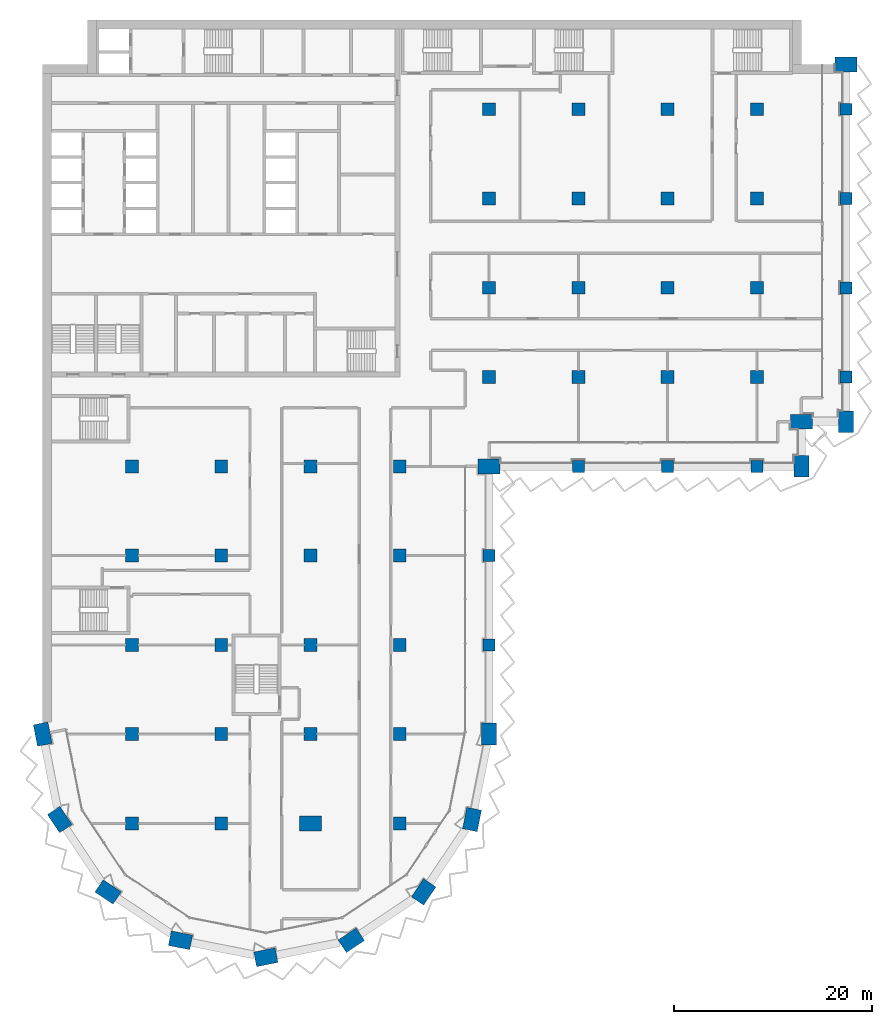
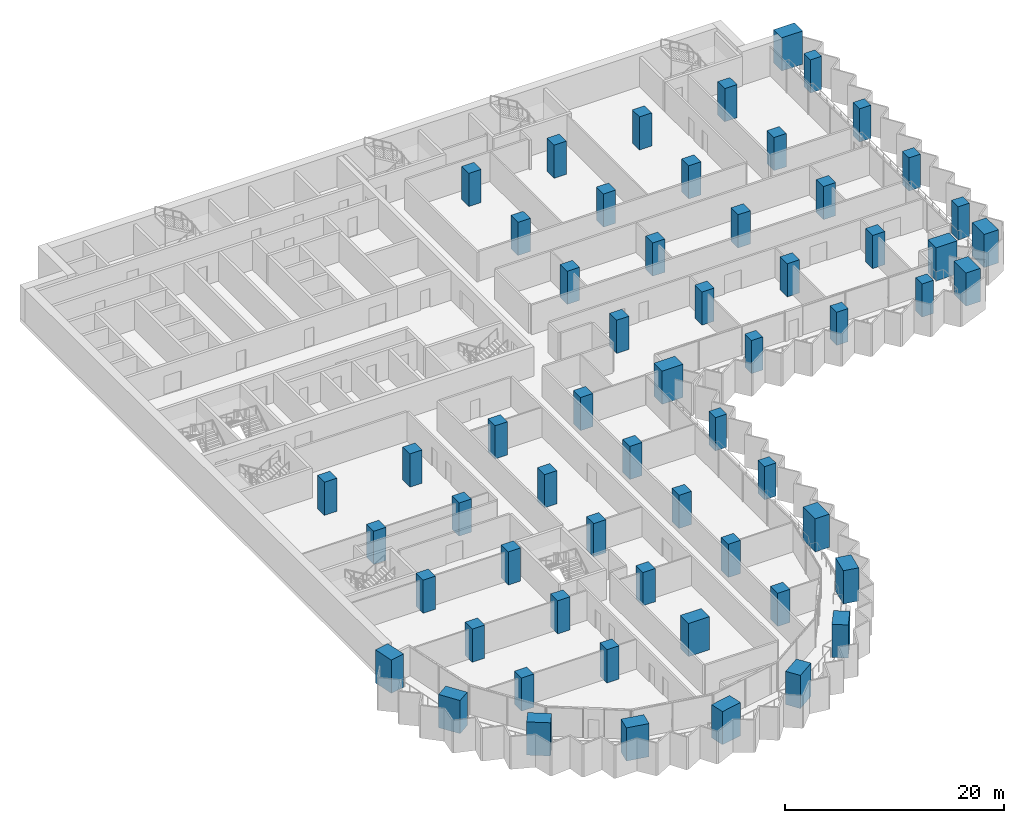
# One storey, part 1 of 23: 59 columns.
"""IFC4 building model written with IfcOpenShell, lengths in metres."""

from ifc_helpers import new_model, si_unit, direction, frame, origin, origin_2d, place, context, subcontext, project, spatial, rectangle, extrude, material, material_profile, profile_set, type_object, element, save


model = new_model("IFC4")

# Units and contexts
model_context = context("Model", 3, precision=1e-05, world=origin(), true_north=direction((0.0, 1.0)))
body_context = subcontext(model_context, "Body", "Model", "MODEL_VIEW")
ifc_project = project(units=[si_unit("LENGTHUNIT", "METRE"), si_unit("AREAUNIT", "SQUARE_METRE"), si_unit("VOLUMEUNIT", "CUBIC_METRE"), si_unit("PLANEANGLEUNIT", "RADIAN"), si_unit("MASSUNIT", "GRAM", prefix="KILO")], contexts=[model_context])

# Site, building, storey
site_placement = place(None, origin())
site = spatial("IfcSite", under=ifc_project, at=site_placement, CompositionType="ELEMENT")
building_placement = place(site_placement, origin())
building = spatial("IfcBuilding", under=site, at=building_placement, Name="Hunhe Ridgeline Campus", CompositionType="ELEMENT")
storey_placement = place(building_placement, frame((0.0, 0.0, 95.89990234375)))
storey = spatial("IfcBuildingStorey", under=building, at=storey_placement, Name="L23", CompositionType="ELEMENT", Elevation=95.89990234375)

# Columns
ifc_material = material(Name="Concrete C70", Category="concrete")
ifc_material_profile_1 = material_profile(ifc_material, rectangle(XDim=2.199951171875, YDim=1.5, at=origin_2d()))
ifc_profile_set_1 = profile_set([ifc_material_profile_1], Name="Concrete C70")
column_type_1 = type_object("IfcColumnType", Name="Megacolumn 2200x1500 Concrete C70", PredefinedType="COLUMN", material=ifc_profile_set_1)
for number, where, z_axis, x_axis, name in (
    (1, (22.5, 4.5, 0.0), (0.0, 0.0, 1.0), (0.980785280403, 0.195090322016, 0.0), "Column C6 R1 L23"),
    (2, (13.8896484375, 6.212646484375, 0.0), (0.0, 0.0, 1.0), (-0.980785280403, 0.195090322016, 0.0), "Column C6 R2 L23"),
    (3, (31.1103515625, 6.212646484375, 0.0), (0.0, 0.0, 1.0), (0.831469612303, 0.55557023302, 0.0), "Column C6 R3 L23"),
    (4, (6.590087890625, 11.090087890625, 0.0), (0.0, 0.0, 1.0), (-0.831469612303, 0.55557023302, 0.0), "Column C6 R4 L23"),
    (5, (38.409912109375, 11.090087890625, 0.0), (0.0, 0.0, 1.0), (0.55557023302, 0.831469612303, 0.0), "Column C6 R5 L23"),
    (6, (1.712646484375, 18.3896484375, 0.0), (0.0, 0.0, 1.0), (-0.55557023302, 0.831469612303, 0.0), "Column C6 R9 L23"),
    (7, (43.287353515625, 18.3896484375, 0.0), (0.0, 0.0, 1.0), (0.195090322016, 0.980785280403, 0.0), "Column C6 R10 L23"),
    (8, (0.0, 27.0, 0.0), (0.0, 0.0, 1.0), (-0.195090322016, 0.980785280403, 0.0), "Column C6 D1 L23"),
    (9, (45.0, 27.0, 0.0), (0.0, 0.0, 1.0), (0.0, 1.0, 0.0), "Column C6 D6 L23"),
    (10, (45.0, 54.0, 0.0), (0.0, 0.0, 1.0), (1.0, 0.0, 0.0), "Column C6 G6 L23"),
    (11, (76.5, 54.0, 0.0), (0.0, 0.0, 1.0), (0.0, 1.0, 0.0), "Column C6 R31 L23"),
    (12, (76.5, 58.5, 0.0), (0.0, 0.0, 1.0), (1.0, 0.0, 0.0), "Column C6 R37 L23"),
    (13, (81.0, 58.5, 0.0), (0.0, 0.0, 1.0), (0.0, 1.0, 0.0), "Column C6 R38 L23"),
    (14, (81.0, 94.5, 0.0), (0.0, 0.0, 1.0), (1.0, 0.0, 0.0), "Column C6 R43 L23"),
    (15, (27.0, 18.0, 0.0), (0.0, 0.0, 1.0), (1.0, 0.0, 0.0), "Column C6 C4 L23"),
):
    element("IfcColumn", number, at=place(storey_placement, frame(where, z_axis=z_axis, x_axis=x_axis)), inside=storey, type_object=column_type_1, Name=name, PredefinedType="COLUMN", context=body_context, shape_type="SweptSolid", body=[
        extrude(rectangle(XDim=2.199951171875, YDim=1.5, at=origin_2d()), origin(), (0.0, 0.0, 1.0), 3.7001953125),
    ])
ifc_material_profile_2 = material_profile(ifc_material, rectangle(XDim=1.199951171875, YDim=1.199951171875, at=origin_2d()))
ifc_profile_set_2 = profile_set([ifc_material_profile_2], Name="Concrete C70")
column_type_2 = type_object("IfcColumnType", Name="RC column 1200x1200 Concrete C70", PredefinedType="COLUMN", material=ifc_profile_set_2)
for number, where, z_axis, x_axis, name in (
    (16, (45.0, 36.0, 0.0), (0.0, 0.0, 1.0), (1.0, 0.0, 0.0), "Column C7 E6 L23"),
    (17, (45.0, 45.0, 0.0), (0.0, 0.0, 1.0), (1.0, 0.0, 0.0), "Column C7 F6 L23"),
    (18, (54.0, 54.0, 0.0), (0.0, 0.0, 1.0), (1.0, 0.0, 0.0), "Column C7 G7 L23"),
    (19, (63.0, 54.0, 0.0), (0.0, 0.0, 1.0), (1.0, 0.0, 0.0), "Column C7 G8 L23"),
    (20, (72.0, 54.0, 0.0), (0.0, 0.0, 1.0), (1.0, 0.0, 0.0), "Column C7 G9 L23"),
    (21, (81.0, 63.0, 0.0), (0.0, 0.0, 1.0), (1.0, 0.0, 0.0), "Column C7 H10 L23"),
    (22, (81.0, 72.0, 0.0), (0.0, 0.0, 1.0), (1.0, 0.0, 0.0), "Column C7 I10 L23"),
    (23, (81.0, 81.0, 0.0), (0.0, 0.0, 1.0), (1.0, 0.0, 0.0), "Column C7 J10 L23"),
    (24, (81.0, 90.0, 0.0), (0.0, 0.0, 1.0), (1.0, 0.0, 0.0), "Column C7 K10 L23"),
):
    element("IfcColumn", number, at=place(storey_placement, frame(where, z_axis=z_axis, x_axis=x_axis)), inside=storey, type_object=column_type_2, Name=name, PredefinedType="COLUMN", context=body_context, shape_type="SweptSolid", body=[
        extrude(rectangle(XDim=1.199951171875, YDim=1.199951171875, at=origin_2d()), origin(), (0.0, 0.0, 1.0), 3.7001953125),
    ])
ifc_material_profile_3 = material_profile(ifc_material, rectangle(XDim=1.300048828125, YDim=1.300048828125, at=origin_2d()))
ifc_profile_set_3 = profile_set([ifc_material_profile_3], Name="Concrete C70")
column_type_3 = type_object("IfcColumnType", Name="RC column 1300x1300 Concrete C70", PredefinedType="COLUMN", material=ifc_profile_set_3)
for number, where, z_axis, x_axis, name in (
    (25, (9.0, 18.0, 0.0), (0.0, 0.0, 1.0), (1.0, 0.0, 0.0), "Column C8 C2 L23"),
    (26, (9.0, 27.0, 0.0), (0.0, 0.0, 1.0), (1.0, 0.0, 0.0), "Column C8 D2 L23"),
    (27, (9.0, 36.0, 0.0), (0.0, 0.0, 1.0), (1.0, 0.0, 0.0), "Column C8 E2 L23"),
    (28, (9.0, 45.0, 0.0), (0.0, 0.0, 1.0), (1.0, 0.0, 0.0), "Column C8 F2 L23"),
    (29, (9.0, 54.0, 0.0), (0.0, 0.0, 1.0), (1.0, 0.0, 0.0), "Column C8 G2 L23"),
    (30, (18.0, 18.0, 0.0), (0.0, 0.0, 1.0), (1.0, 0.0, 0.0), "Column C8 C3 L23"),
    (31, (18.0, 27.0, 0.0), (0.0, 0.0, 1.0), (1.0, 0.0, 0.0), "Column C8 D3 L23"),
    (32, (18.0, 36.0, 0.0), (0.0, 0.0, 1.0), (1.0, 0.0, 0.0), "Column C8 E3 L23"),
    (33, (18.0, 45.0, 0.0), (0.0, 0.0, 1.0), (1.0, 0.0, 0.0), "Column C8 F3 L23"),
    (34, (18.0, 54.0, 0.0), (0.0, 0.0, 1.0), (1.0, 0.0, 0.0), "Column C8 G3 L23"),
    (35, (27.0, 27.0, 0.0), (0.0, 0.0, 1.0), (1.0, 0.0, 0.0), "Column C8 D4 L23"),
    (36, (27.0, 36.0, 0.0), (0.0, 0.0, 1.0), (1.0, 0.0, 0.0), "Column C8 E4 L23"),
    (37, (27.0, 45.0, 0.0), (0.0, 0.0, 1.0), (1.0, 0.0, 0.0), "Column C8 F4 L23"),
    (38, (27.0, 54.0, 0.0), (0.0, 0.0, 1.0), (1.0, 0.0, 0.0), "Column C8 G4 L23"),
    (39, (36.0, 18.0, 0.0), (0.0, 0.0, 1.0), (1.0, 0.0, 0.0), "Column C8 C5 L23"),
    (40, (36.0, 27.0, 0.0), (0.0, 0.0, 1.0), (1.0, 0.0, 0.0), "Column C8 D5 L23"),
    (41, (36.0, 36.0, 0.0), (0.0, 0.0, 1.0), (1.0, 0.0, 0.0), "Column C8 E5 L23"),
    (42, (36.0, 45.0, 0.0), (0.0, 0.0, 1.0), (1.0, 0.0, 0.0), "Column C8 F5 L23"),
    (43, (36.0, 54.0, 0.0), (0.0, 0.0, 1.0), (1.0, 0.0, 0.0), "Column C8 G5 L23"),
    (44, (45.0, 63.0, 0.0), (0.0, 0.0, 1.0), (1.0, 0.0, 0.0), "Column C8 H6 L23"),
    (45, (45.0, 72.0, 0.0), (0.0, 0.0, 1.0), (1.0, 0.0, 0.0), "Column C8 I6 L23"),
    (46, (45.0, 81.0, 0.0), (0.0, 0.0, 1.0), (1.0, 0.0, 0.0), "Column C8 J6 L23"),
    (47, (45.0, 90.0, 0.0), (0.0, 0.0, 1.0), (1.0, 0.0, 0.0), "Column C8 K6 L23"),
    (48, (54.0, 63.0, 0.0), (0.0, 0.0, 1.0), (1.0, 0.0, 0.0), "Column C8 H7 L23"),
    (49, (54.0, 72.0, 0.0), (0.0, 0.0, 1.0), (1.0, 0.0, 0.0), "Column C8 I7 L23"),
    (50, (54.0, 81.0, 0.0), (0.0, 0.0, 1.0), (1.0, 0.0, 0.0), "Column C8 J7 L23"),
    (51, (54.0, 90.0, 0.0), (0.0, 0.0, 1.0), (1.0, 0.0, 0.0), "Column C8 K7 L23"),
    (52, (63.0, 63.0, 0.0), (0.0, 0.0, 1.0), (1.0, 0.0, 0.0), "Column C8 H8 L23"),
    (53, (63.0, 72.0, 0.0), (0.0, 0.0, 1.0), (1.0, 0.0, 0.0), "Column C8 I8 L23"),
    (54, (63.0, 81.0, 0.0), (0.0, 0.0, 1.0), (1.0, 0.0, 0.0), "Column C8 J8 L23"),
    (55, (63.0, 90.0, 0.0), (0.0, 0.0, 1.0), (1.0, 0.0, 0.0), "Column C8 K8 L23"),
    (56, (72.0, 63.0, 0.0), (0.0, 0.0, 1.0), (1.0, 0.0, 0.0), "Column C8 H9 L23"),
    (57, (72.0, 72.0, 0.0), (0.0, 0.0, 1.0), (1.0, 0.0, 0.0), "Column C8 I9 L23"),
    (58, (72.0, 81.0, 0.0), (0.0, 0.0, 1.0), (1.0, 0.0, 0.0), "Column C8 J9 L23"),
    (59, (72.0, 90.0, 0.0), (0.0, 0.0, 1.0), (1.0, 0.0, 0.0), "Column C8 K9 L23"),
):
    element("IfcColumn", number, at=place(storey_placement, frame(where, z_axis=z_axis, x_axis=x_axis)), inside=storey, type_object=column_type_3, Name=name, PredefinedType="COLUMN", context=body_context, shape_type="SweptSolid", body=[
        extrude(rectangle(XDim=1.300048828125, YDim=1.300048828125, at=origin_2d()), origin(), (0.0, 0.0, 1.0), 3.7001953125),
    ])

save(model, "model.ifc")
